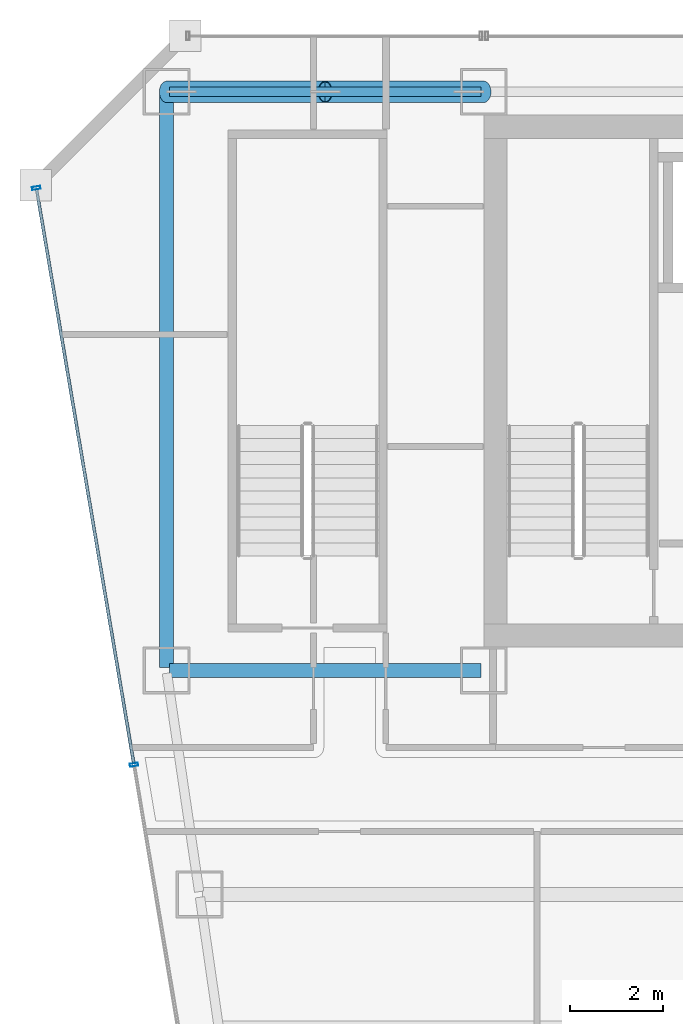
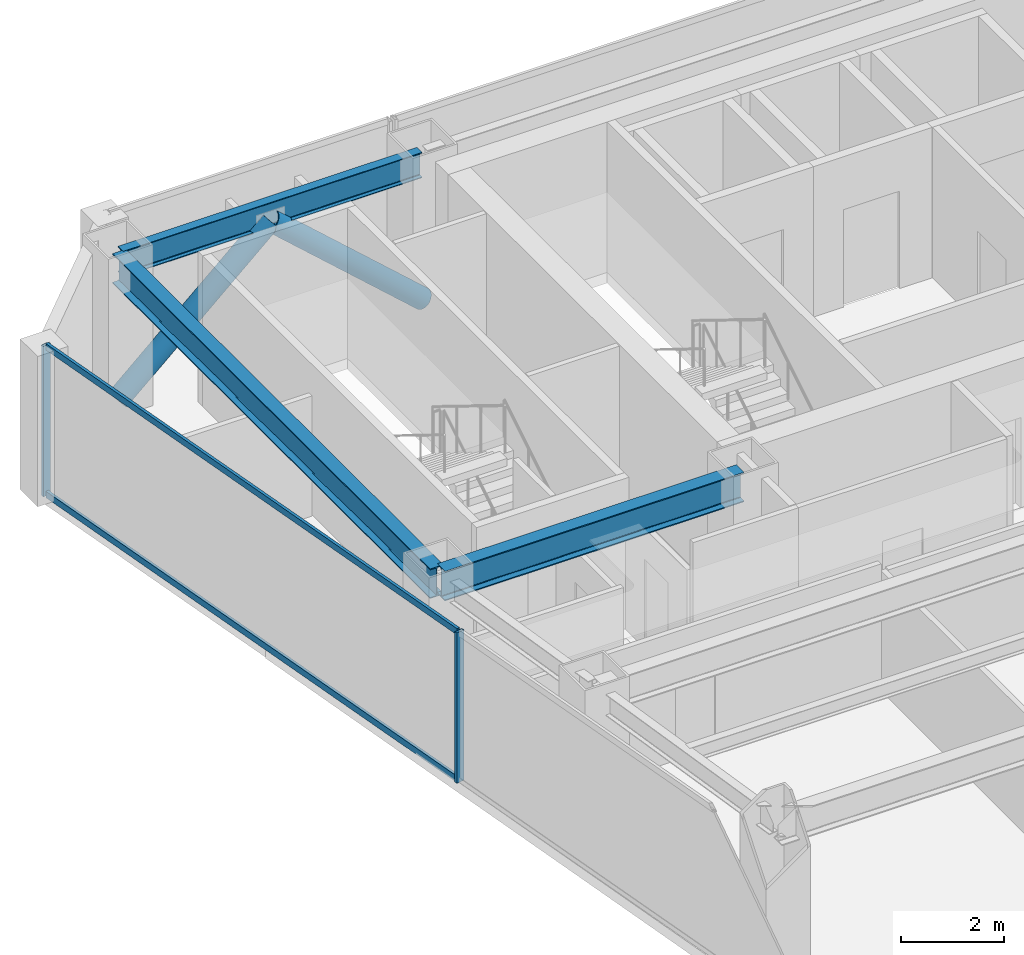
# One storey, part 13 of 31: 6 members, 3 beams, 1 element without a shape of its own.
"""IFC4 building model written with IfcOpenShell, lengths in metres."""

from ifc_helpers import new_model, si_unit, direction, frame, origin, origin_2d, place, context, subcontext, project, spatial, hollow_rectangle, hollow_circle, i_section, extrude, material, material_profile, profile_set, type_object, element, aggregate, save


model = new_model("IFC4")

# Units and contexts
model_context = context("Model", 3, precision=1e-05, world=origin(), true_north=direction((0.0, 1.0)))
body_context = subcontext(model_context, "Body", "Model", "MODEL_VIEW")
ifc_project = project(units=[si_unit("LENGTHUNIT", "METRE"), si_unit("AREAUNIT", "SQUARE_METRE"), si_unit("VOLUMEUNIT", "CUBIC_METRE"), si_unit("PLANEANGLEUNIT", "RADIAN"), si_unit("MASSUNIT", "GRAM", prefix="KILO")], contexts=[model_context])

# Site, building, storey
site_placement = place(None, origin())
site = spatial("IfcSite", under=ifc_project, at=site_placement, CompositionType="ELEMENT")
building_placement = place(site_placement, origin())
building = spatial("IfcBuilding", under=site, at=building_placement, Name="Saevonmaru Cultural Tower", CompositionType="ELEMENT")
storey_placement = place(building_placement, frame((0.0, 0.0, 167.60009765625)))
storey = spatial("IfcBuildingStorey", under=building, at=storey_placement, Name="L37", CompositionType="ELEMENT", Elevation=167.60009765625)

# Beams
ifc_material_1 = material(Name="Steel SM355", Category="steel")
ifc_material_profile_1 = material_profile(ifc_material_1, i_section(OverallWidth=0.300048828125, OverallDepth=0.699951171875, WebThickness=0.012939453125, FlangeThickness=0.02392578125, FilletRadius=0.02587890625, at=origin_2d()), Name="H-700x300x13x24")
ifc_profile_set_1 = profile_set([ifc_material_profile_1], Name="Steel SM355")
beam_type_1 = type_object("IfcBeamType", Name="BM-G-H700", PredefinedType="BEAM", material=ifc_profile_set_1)
beam_1_placement = place(storey_placement, frame((6.860107421875, 42.39990234375, 3.199951171875), z_axis=(1.0, 0.0, 0.0), x_axis=(0.0, 1.0, 0.0)))
element("IfcBeam", 1, at=beam_1_placement, inside=storey, type_object=beam_type_1, Name="L37 Core South Girder 1", PredefinedType="BEAM", context=body_context, shape_type="SweptSolid", body=[
    extrude(i_section(OverallWidth=0.300048828125, OverallDepth=0.699951171875, WebThickness=0.012939453125, FlangeThickness=0.02392578125, FilletRadius=0.02587890625, at=origin_2d()), origin(), (0.0, 0.0, 1.0), 6.679931640625),
])
beam_2_placement = place(storey_placement, frame((6.800048828125, 54.739990234375, 3.199951171875), z_axis=(0.0, -1.0, 0.0), x_axis=(1.0, 0.0, 0.0)))
element("IfcBeam", 2, at=beam_2_placement, inside=storey, type_object=beam_type_1, Name="L37 Spine Transverse Girder W", PredefinedType="BEAM", context=body_context, shape_type="SweptSolid", body=[
    extrude(i_section(OverallWidth=0.300048828125, OverallDepth=0.699951171875, WebThickness=0.012939453125, FlangeThickness=0.02392578125, FilletRadius=0.02587890625, at=origin_2d()), origin(), (0.0, 0.0, 1.0), 12.280029296875),
])
ifc_material_profile_2 = material_profile(ifc_material_1, i_section(OverallWidth=0.199951171875, OverallDepth=0.60009765625, WebThickness=0.010986328125, FlangeThickness=0.01708984375, FilletRadius=0.02197265625, at=origin_2d()), Name="H-600x200x11x17")
ifc_profile_set_2 = profile_set([ifc_material_profile_2], Name="Steel SM355")
beam_type_2 = type_object("IfcBeamType", Name="BM-SP-H600", PredefinedType="SPANDREL", material=ifc_profile_set_2)
beam_3_placement = place(storey_placement, frame((6.860107421875, 54.800048828125, 3.25), z_axis=(1.0, 0.0, 0.0), x_axis=(0.0, 1.0, 0.0)))
element("IfcBeam", 3, at=beam_3_placement, inside=storey, type_object=beam_type_2, Name="L37 North Spine Girder 1", PredefinedType="SPANDREL", context=body_context, shape_type="SweptSolid", body=[
    extrude(i_section(OverallWidth=0.199951171875, OverallDepth=0.60009765625, WebThickness=0.010986328125, FlangeThickness=0.01708984375, FilletRadius=0.02197265625, at=origin_2d()), origin(), (0.0, 0.0, 1.0), 6.679931640625),
])

# Members
ifc_material_2 = material(Name="Steel SM420", Category="steel")
ifc_material_profile_3 = material_profile(ifc_material_2, hollow_circle(Radius=0.228515625, WallThickness=0.02001953125, at=origin_2d()), Name="CHS-457.2x20")
ifc_profile_set_3 = profile_set([ifc_material_profile_3], Name="Steel SM420")
member_type_1 = type_object("IfcMemberType", Name="MB-PBR-CHS457", PredefinedType="BRACE", material=ifc_profile_set_3)
member_1_placement = place(storey_placement, frame((6.800048828125, 54.800048828125, 0.02001953125), z_axis=(0.744393515062, 0.0, 0.667741188436), x_axis=(0.0, 1.0, 0.0)))
element("IfcMember", 4, at=member_1_placement, inside=storey, type_object=member_type_1, Name="L37 Perimeter Braced-Tube Diagonal WN1", PredefinedType="BRACE", context=body_context, shape_type="SweptSolid", body=[
    extrude(hollow_circle(Radius=0.228515625, WallThickness=0.02001953125, at=origin_2d()), origin(), (0.0, 0.0, 1.0), 4.5673828125),
])
member_2_placement = place(storey_placement, frame((13.60009765625, 54.800048828125, 0.02001953125), z_axis=(-0.744417347397, 0.0, 0.66771461935), x_axis=(0.0, -1.0, 0.0)))
element("IfcMember", 5, at=member_2_placement, inside=storey, type_object=member_type_1, Name="L37 Perimeter Braced-Tube Diagonal WN2", PredefinedType="BRACE", context=body_context, shape_type="SweptSolid", body=[
    extrude(hollow_circle(Radius=0.228515625, WallThickness=0.02001953125, at=origin_2d()), origin(), (0.0, 0.0, 1.0), 4.567626953125),
])

# Curtain wall, members
ifc_material_3 = material(Name="Satin Bronze Anodised Aluminium", Category="aluminium")
curtain_wall_type = type_object("IfcCurtainWallType", Name="CW-TYP-A", PredefinedType="NOTDEFINED", material=ifc_material_3)
curtain_wall_placement = place(storey_placement, origin())
curtain_wall = element("IfcCurtainWall", 6, at=curtain_wall_placement, inside=storey, type_object=curtain_wall_type, Name="L37 Unitised Curtain Wall E12", PredefinedType="NOTDEFINED")
ifc_material_profile_4 = material_profile(ifc_material_3, hollow_rectangle(XDim=0.06494140625, YDim=0.179931640625, WallThickness=0.00390625, at=origin_2d()), Name="ALU-MULL-180x65x4")
ifc_profile_set_4 = profile_set([ifc_material_profile_4], Name="Satin Bronze Anodised Aluminium")
member_type_2 = type_object("IfcMemberType", Name="ML-CW-180x65", PredefinedType="MULLION", material=ifc_profile_set_4)
member_3_placement = place(storey_placement, frame((4.010009765625, 52.74072265625, 0.0), z_axis=(0.0, 0.0, 1.0), x_axis=(0.16692169721, -0.985970155228, 0.0)))
member_3 = element("IfcMember", 7, at=member_3_placement, type_object=member_type_2, Name="CW-TW-L37-E12 mullion 1", PredefinedType="MULLION", context=body_context, shape_type="SweptSolid", body=[
    extrude(hollow_rectangle(XDim=0.06494140625, YDim=0.179931640625, WallThickness=0.00390625, at=origin_2d()), origin(), (0.0, 0.0, 1.0), 3.5498046875),
])
member_4_placement = place(storey_placement, frame((6.1025390625, 40.38037109375, 0.0), z_axis=(0.0, 0.0, 1.0), x_axis=(0.16692169721, -0.985970155228, 0.0)))
member_4 = element("IfcMember", 8, at=member_4_placement, type_object=member_type_2, Name="CW-TW-L37-E12 mullion 2", PredefinedType="MULLION", context=body_context, shape_type="SweptSolid", body=[
    extrude(hollow_rectangle(XDim=0.06494140625, YDim=0.179931640625, WallThickness=0.00390625, at=origin_2d()), origin(), (0.0, 0.0, 1.0), 3.5498046875),
])
ifc_material_profile_5 = material_profile(ifc_material_3, hollow_rectangle(XDim=0.06494140625, YDim=0.14990234375, WallThickness=0.00390625, at=origin_2d()), Name="ALU-TRAN-150x65x4")
ifc_profile_set_5 = profile_set([ifc_material_profile_5], Name="Satin Bronze Anodised Aluminium")
member_type_3 = type_object("IfcMemberType", Name="TR-CW-150x65", PredefinedType="USERDEFINED", material=ifc_profile_set_5)
member_5_placement = place(storey_placement, frame((4.015380859375, 52.708740234375, 0.032470703125), z_axis=(0.166925351203, -0.985969536611, 0.0), x_axis=(0.985969536611, 0.166925351203, 0.0)))
member_5 = element("IfcMember", 9, at=member_5_placement, type_object=member_type_3, Name="CW-TW-L37-E12 transom 1.1", ObjectType="TRANSOM", PredefinedType="USERDEFINED", context=body_context, shape_type="SweptSolid", body=[
    extrude(hollow_rectangle(XDim=0.06494140625, YDim=0.14990234375, WallThickness=0.00390625, at=origin_2d()), origin(), (0.0, 0.0, 1.0), 12.471435546875),
])
member_6_placement = place(storey_placement, frame((4.015380859375, 52.708740234375, 3.517333984375), z_axis=(0.166925351203, -0.985969536611, 0.0), x_axis=(0.985969536611, 0.166925351203, 0.0)))
member_6 = element("IfcMember", 10, at=member_6_placement, type_object=member_type_3, Name="CW-TW-L37-E12 transom 1.2", ObjectType="TRANSOM", PredefinedType="USERDEFINED", context=body_context, shape_type="SweptSolid", body=[
    extrude(hollow_rectangle(XDim=0.06494140625, YDim=0.14990234375, WallThickness=0.00390625, at=origin_2d()), origin(), (0.0, 0.0, 1.0), 12.471435546875),
])
aggregate(curtain_wall, [member_3, member_4, member_5, member_6])

save(model, "model.ifc")
